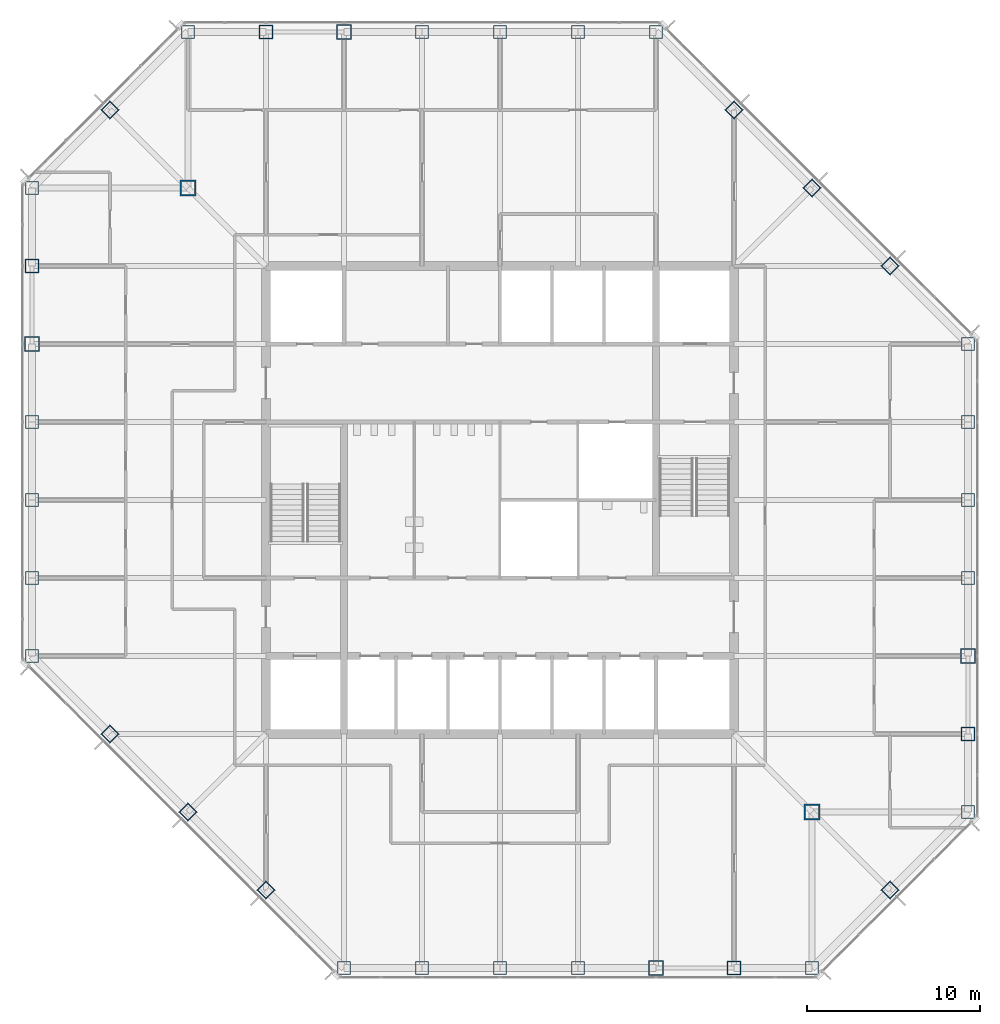
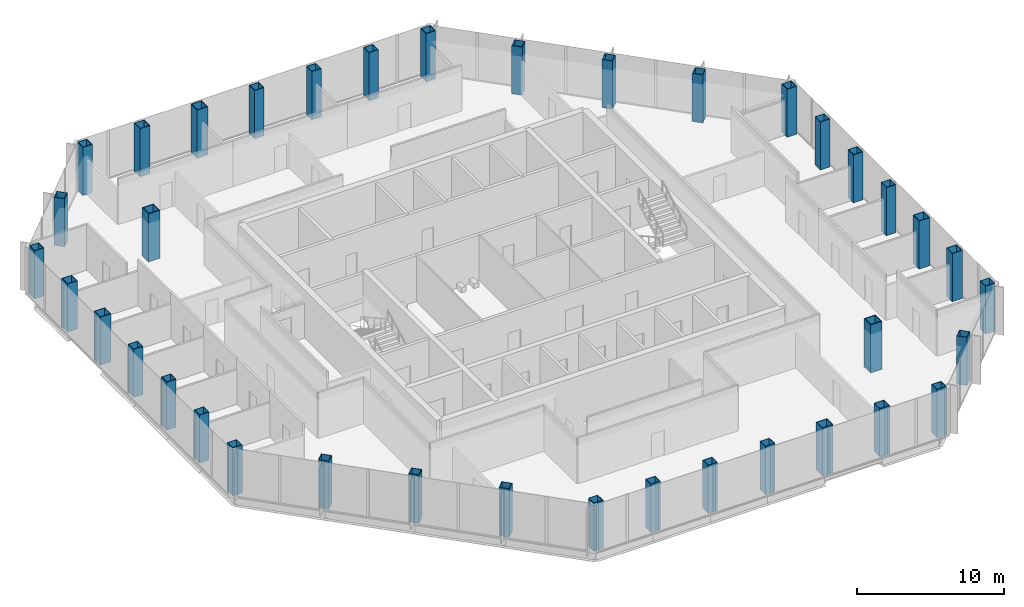
# One storey, part 1 of 13: 38 columns.
"""IFC4 building model written with IfcOpenShell, lengths in metres."""

from ifc_helpers import new_model, si_unit, direction, frame, origin, origin_2d, place, context, subcontext, project, spatial, hollow_rectangle, extrude, material, material_profile, profile_set, type_object, element, save


model = new_model("IFC4")

# Units and contexts
model_context = context("Model", 3, precision=1e-05, world=origin(), true_north=direction((0.0, 1.0)))
body_context = subcontext(model_context, "Body", "Model", "MODEL_VIEW")
ifc_project = project(units=[si_unit("LENGTHUNIT", "METRE"), si_unit("AREAUNIT", "SQUARE_METRE"), si_unit("VOLUMEUNIT", "CUBIC_METRE"), si_unit("PLANEANGLEUNIT", "RADIAN"), si_unit("MASSUNIT", "GRAM", prefix="KILO")], contexts=[model_context])

# Site, building, storey
site_placement = place(None, origin())
site = spatial("IfcSite", under=ifc_project, at=site_placement, CompositionType="ELEMENT")
building_placement = place(site_placement, origin())
building = spatial("IfcBuilding", under=site, at=building_placement, Name="Corais Broadcast Tower", CompositionType="ELEMENT")
storey_placement = place(building_placement, frame((0.0, 0.0, 195.60009765625)))
storey = spatial("IfcBuildingStorey", under=building, at=storey_placement, Name="L45", CompositionType="ELEMENT", Elevation=195.60009765625)

# Columns
ifc_material_1 = material(Name="Steel ASTM A572 Grade 50", Category="steel")
ifc_material_profile_1 = material_profile(ifc_material_1, hollow_rectangle(XDim=0.75, YDim=0.75, WallThickness=0.0400390625, at=origin_2d()), Name="BOX 750x750x40")
ifc_profile_set_1 = profile_set([ifc_material_profile_1], Name="Steel ASTM A572 Grade 50")
column_type_1 = type_object("IfcColumnType", Name="Column BOX 750x750x40", PredefinedType="COLUMN", material=ifc_profile_set_1)
for number, where, z_axis, x_axis, name in (
    (1, (18.0, 0.0, 0.0), (0.0, 0.0, 1.0), (1.0, 0.0, 0.0), "C4 A/7"),
    (2, (22.5, 0.0, 0.0), (0.0, 0.0, 1.0), (1.0, 0.0, 0.0), "C4 A/8"),
    (3, (27.0, 0.0, 0.0), (0.0, 0.0, 1.0), (1.0, 0.0, 0.0), "C4 A/9"),
    (4, (31.5, 0.0, 0.0), (0.0, 0.0, 1.0), (1.0, 0.0, 0.0), "C4 A/10"),
    (5, (45.0, 0.0, 0.0), (0.0, 0.0, 1.0), (1.0, 0.0, 0.0), "C4 A/13"),
    (6, (54.0, 9.0, 0.0), (0.0, 0.0, 1.0), (1.0, 0.0, 0.0), "C4 C/15"),
    (7, (54.0, 22.5, 0.0), (0.0, 0.0, 1.0), (1.0, 0.0, 0.0), "C4 F/15"),
    (8, (54.0, 27.0, 0.0), (0.0, 0.0, 1.0), (1.0, 0.0, 0.0), "C4 G/15"),
    (9, (54.0, 31.5, 0.0), (0.0, 0.0, 1.0), (1.0, 0.0, 0.0), "C4 H/15"),
    (10, (54.0, 36.0, 0.0), (0.0, 0.0, 1.0), (1.0, 0.0, 0.0), "C4 J/15"),
    (11, (36.0, 54.0, 0.0), (0.0, 0.0, 1.0), (1.0, 0.0, 0.0), "C4 N/11"),
    (12, (31.5, 54.0, 0.0), (0.0, 0.0, 1.0), (1.0, 0.0, 0.0), "C4 N/10"),
    (13, (27.0, 54.0, 0.0), (0.0, 0.0, 1.0), (1.0, 0.0, 0.0), "C4 N/9"),
    (14, (22.5, 54.0, 0.0), (0.0, 0.0, 1.0), (1.0, 0.0, 0.0), "C4 N/8"),
    (15, (9.0, 54.0, 0.0), (0.0, 0.0, 1.0), (1.0, 0.0, 0.0), "C4 N/5"),
    (16, (0.0, 45.0, 0.0), (0.0, 0.0, 1.0), (1.0, 0.0, 0.0), "C4 L/3"),
    (17, (0.0, 31.5, 0.0), (0.0, 0.0, 1.0), (1.0, 0.0, 0.0), "C4 H/3"),
    (18, (0.0, 27.0, 0.0), (0.0, 0.0, 1.0), (1.0, 0.0, 0.0), "C4 G/3"),
    (19, (0.0, 22.5, 0.0), (0.0, 0.0, 1.0), (1.0, 0.0, 0.0), "C4 F/3"),
    (20, (0.0, 18.0, 0.0), (0.0, 0.0, 1.0), (1.0, 0.0, 0.0), "C4 E/3"),
    (21, (13.5, 4.5, 0.0), (0.0, 0.0, 1.0), (0.707106781187, 0.707106781187, 0.0), "C4 B/6"),
    (22, (9.0, 9.0, 0.0), (0.0, 0.0, 1.0), (0.707106781187, 0.707106781187, 0.0), "C4 C/5"),
    (23, (4.5, 13.5, 0.0), (0.0, 0.0, 1.0), (0.707106781187, 0.707106781187, 0.0), "C4 D/4"),
    (24, (49.5, 4.5, 0.0), (0.0, 0.0, 1.0), (0.707106781187, 0.707106781187, 0.0), "C4 B/14"),
    (25, (49.5, 40.5, 0.0), (0.0, 0.0, 1.0), (0.707106781187, 0.707106781187, 0.0), "C4 K/14"),
    (26, (45.0, 45.0, 0.0), (0.0, 0.0, 1.0), (0.707106781187, 0.707106781187, 0.0), "C4 L/13"),
    (27, (40.5, 49.5, 0.0), (0.0, 0.0, 1.0), (0.707106781187, 0.707106781187, 0.0), "C4 M/12"),
    (28, (4.5, 49.5, 0.0), (0.0, 0.0, 1.0), (0.707106781187, 0.707106781187, 0.0), "C4 M/4"),
):
    element("IfcColumn", number, at=place(storey_placement, frame(where, z_axis=z_axis, x_axis=x_axis)), inside=storey, type_object=column_type_1, Name=name, PredefinedType="COLUMN", context=body_context, shape_type="SweptSolid", body=[
        extrude(hollow_rectangle(XDim=0.75, YDim=0.75, WallThickness=0.0400390625, at=origin_2d()), origin(), (0.0, 0.0, 1.0), 4.0),
    ])
ifc_material_2 = material(Name="Steel ASTM A572 Grade 50", Category="steel")
ifc_material_profile_2 = material_profile(ifc_material_2, hollow_rectangle(XDim=0.800048828125, YDim=0.800048828125, WallThickness=0.044921875, at=origin_2d()), Name="BOX 800x800x45")
ifc_profile_set_2 = profile_set([ifc_material_profile_2], Name="Steel ASTM A572 Grade 50")
column_type_2 = type_object("IfcColumnType", Name="Column BOX 800x800x45", PredefinedType="COLUMN", material=ifc_profile_set_2)
for number, where, z_axis, x_axis, name in (
    (29, (40.5, 0.0, 0.0), (0.0, 0.0, 1.0), (1.0, 0.0, 0.0), "C3 A/12"),
    (30, (54.0, 13.5, 0.0), (0.0, 0.0, 1.0), (1.0, 0.0, 0.0), "C3 D/15"),
    (31, (13.5, 54.0, 0.0), (0.0, 0.0, 1.0), (1.0, 0.0, 0.0), "C3 N/6"),
    (32, (0.0, 40.5, 0.0), (0.0, 0.0, 1.0), (1.0, 0.0, 0.0), "C3 K/3"),
):
    element("IfcColumn", number, at=place(storey_placement, frame(where, z_axis=z_axis, x_axis=x_axis)), inside=storey, type_object=column_type_2, Name=name, PredefinedType="COLUMN", context=body_context, shape_type="SweptSolid", body=[
        extrude(hollow_rectangle(XDim=0.800048828125, YDim=0.800048828125, WallThickness=0.044921875, at=origin_2d()), origin(), (0.0, 0.0, 1.0), 4.0),
    ])
ifc_material_3 = material(Name="Steel ASTM A572 Grade 50", Category="steel")
ifc_material_profile_3 = material_profile(ifc_material_3, hollow_rectangle(XDim=0.85009765625, YDim=0.85009765625, WallThickness=0.050048828125, at=origin_2d()), Name="BOX 850x850x50")
ifc_profile_set_3 = profile_set([ifc_material_profile_3], Name="Steel ASTM A572 Grade 50")
column_type_3 = type_object("IfcColumnType", Name="Column BOX 850x850x50", PredefinedType="COLUMN", material=ifc_profile_set_3)
for number, where, z_axis, x_axis, name in (
    (33, (36.0, 0.0, 0.0), (0.0, 0.0, 1.0), (1.0, 0.0, 0.0), "C1 A/11"),
    (34, (54.0, 18.0, 0.0), (0.0, 0.0, 1.0), (1.0, 0.0, 0.0), "C1 E/15"),
    (35, (18.0, 54.0, 0.0), (0.0, 0.0, 1.0), (1.0, 0.0, 0.0), "C1 N/7"),
    (36, (0.0, 36.0, 0.0), (0.0, 0.0, 1.0), (1.0, 0.0, 0.0), "C1 J/3"),
):
    element("IfcColumn", number, at=place(storey_placement, frame(where, z_axis=z_axis, x_axis=x_axis)), inside=storey, type_object=column_type_3, Name=name, PredefinedType="COLUMN", context=body_context, shape_type="SweptSolid", body=[
        extrude(hollow_rectangle(XDim=0.85009765625, YDim=0.85009765625, WallThickness=0.050048828125, at=origin_2d()), origin(), (0.0, 0.0, 1.0), 4.0),
    ])
ifc_material_4 = material(Name="Steel ASTM A572 Grade 50", Category="steel")
ifc_material_profile_4 = material_profile(ifc_material_4, hollow_rectangle(XDim=0.89990234375, YDim=0.89990234375, WallThickness=0.06298828125, at=origin_2d()), Name="BOX 900x900x63")
ifc_profile_set_4 = profile_set([ifc_material_profile_4], Name="Steel ASTM A572 Grade 50")
column_type_4 = type_object("IfcColumnType", Name="Column BOX 900x900x63", PredefinedType="COLUMN", material=ifc_profile_set_4)
for number, where, z_axis, x_axis, name in (
    (37, (45.0, 9.0, 0.0), (0.0, 0.0, 1.0), (1.0, 0.0, 0.0), "C2 C/13"),
    (38, (9.0, 45.0, 0.0), (0.0, 0.0, 1.0), (1.0, 0.0, 0.0), "C2 L/5"),
):
    element("IfcColumn", number, at=place(storey_placement, frame(where, z_axis=z_axis, x_axis=x_axis)), inside=storey, type_object=column_type_4, Name=name, PredefinedType="COLUMN", context=body_context, shape_type="SweptSolid", body=[
        extrude(hollow_rectangle(XDim=0.89990234375, YDim=0.89990234375, WallThickness=0.06298828125, at=origin_2d()), origin(), (0.0, 0.0, 1.0), 4.0),
    ])

save(model, "model.ifc")
